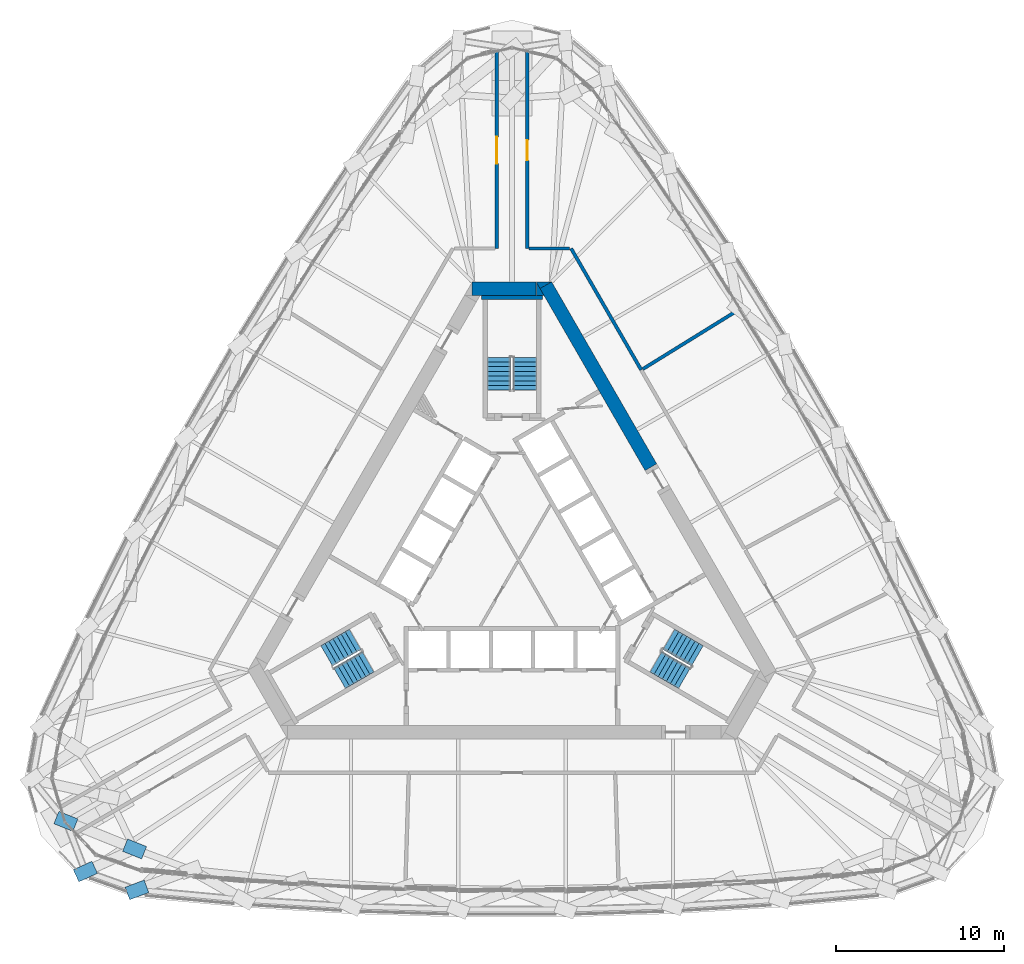
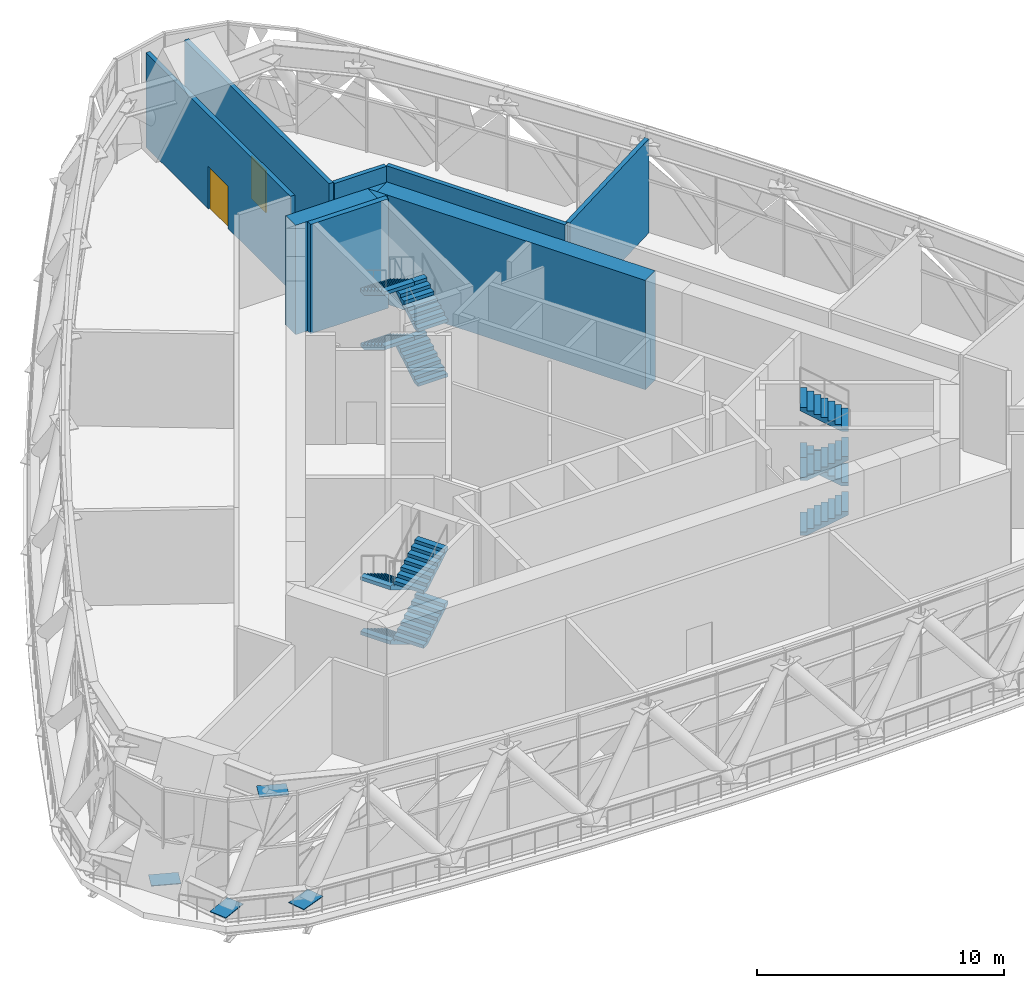
# One storey, part 25 of 35: 12 stair flights, 10 walls, 4 discrete accessories, 2 doors, 2 openings, 3 elements without a shape of their own.
"""IFC4 building model written with IfcOpenShell, lengths in metres."""

from ifc_helpers import new_model, si_unit, direction, frame, frame_2d, origin, place, context, subcontext, project, spatial, polyline, rectangle, outline, extrude, material, layer, layer_set, type_object, element, fill, aggregate, save


model = new_model("IFC4")

# Units and contexts
model_context = context("Model", 3, precision=1e-05, world=origin(), true_north=direction((0.0, 1.0)))
body_context = subcontext(model_context, "Body", "Model", "MODEL_VIEW")
ifc_project = project(units=[si_unit("LENGTHUNIT", "METRE"), si_unit("AREAUNIT", "SQUARE_METRE"), si_unit("VOLUMEUNIT", "CUBIC_METRE"), si_unit("PLANEANGLEUNIT", "RADIAN"), si_unit("MASSUNIT", "GRAM", prefix="KILO")], contexts=[model_context])

# Site, building, storey
site_placement = place(None, origin())
site = spatial("IfcSite", under=ifc_project, at=site_placement, CompositionType="ELEMENT")
building_placement = place(site_placement, origin())
building = spatial("IfcBuilding", under=site, at=building_placement, Name="Mestral Congress Tower", CompositionType="ELEMENT")
storey_placement = place(building_placement, frame((0.0, 0.0, 196.199951171875)))
storey = spatial("IfcBuildingStorey", under=building, at=storey_placement, Name="L46", CompositionType="ELEMENT", Elevation=196.199951171875)

# Walls
ifc_material_1 = material(Name="Concrete C60/75", Category="concrete")
ifc_layer_1 = layer(ifc_material_1, 0.800048828125)
ifc_layer_set_1 = layer_set([ifc_layer_1], Name="Concrete C60/75")
wall_type_1 = type_object("IfcWallType", Name="Core wall RC 800", PredefinedType="SOLIDWALL", material=ifc_layer_set_1)
wall_1_placement = place(storey_placement, frame((8.278564453125, 5.76123046875, 0.0), z_axis=(0.0, 0.0, 1.0), x_axis=(-0.500010359015, 0.866019422922, 0.0)))
element("IfcWall", 1, at=wall_1_placement, inside=storey, type_object=wall_type_1, Name="L46 core wall", PredefinedType="SOLIDWALL", context=body_context, shape_type="SweptSolid", body=[
    extrude(rectangle(XDim=12.527587890625, YDim=0.800048828125, at=frame_2d((6.263671875, 0.0))), origin(), (0.0, 0.0, 1.0), 5.400146484375),
])
placement_1 = place(storey_placement, origin())
element("IfcWall", 2, at=placement_1, inside=storey, type_object=wall_type_1, Name="L46 core wall", PredefinedType="SOLIDWALL", context=body_context, shape_type="SweptSolid", body=[
    extrude(outline(polyline([(1.443359375, 16.800048828125), (2.33935546875, 16.800048828125), (1.667236328125, 16.412109375), (1.443359375, 16.800048828125)])), origin(), (0.0, 0.0, 1.0), 5.400146484375),
])
wall_3_placement = place(storey_placement, frame((-2.37890625, 16.39990234375, 0.0), z_axis=(0.0, 0.0, 1.0), x_axis=(1.0, 0.0, 0.0)))
element("IfcWall", 3, at=wall_3_placement, inside=storey, type_object=wall_type_1, Name="L46 core wall", PredefinedType="SOLIDWALL", context=body_context, shape_type="SweptSolid", body=[
    extrude(rectangle(XDim=3.82421875, YDim=0.800048828125, at=frame_2d((1.912109375, 0.0))), origin(), (0.0, 0.0, 1.0), 5.400146484375),
])
element("IfcWall", 4, at=placement_1, inside=storey, type_object=wall_type_1, Name="L46 core wall", PredefinedType="SOLIDWALL", context=body_context, shape_type="SweptSolid", body=[
    extrude(outline(polyline([(1.9052734375, 16.0), (1.447265625, 16.0), (1.447265625, 16.793212890625), (1.9052734375, 16.0)])), origin(), (0.0, 0.0, 1.0), 5.400146484375),
])

# Wall, opening, door
ifc_material_2 = material(Name="Concrete block wall, plastered", Category="concrete")
ifc_layer_2 = layer(ifc_material_2, 0.199951171875)
ifc_layer_set_2 = layer_set([ifc_layer_2], Name="Concrete block wall, plastered")
wall_type_2 = type_object("IfcWallType", Name="Special partition 200 EI 120", PredefinedType="PARTITIONING", material=ifc_layer_set_2)
wall_5_placement = place(storey_placement, frame((0.89990234375, 18.800048828125, 0.0), z_axis=(0.0, 0.0, 1.0), x_axis=(0.0, 1.0, 0.0)))
wall_5 = element("IfcWall", 5, at=wall_5_placement, inside=storey, type_object=wall_type_2, Name="Partition", PredefinedType="PARTITIONING", context=body_context, shape_type="SweptSolid", body=[
    extrude(rectangle(XDim=11.7060546875, YDim=0.199951171875, at=frame_2d((5.85302734375, 0.0))), origin(), (0.0, 0.0, 1.0), 4.650146484375),
])
opening_1_placement = place(wall_5_placement, frame((5.253173828125, 0.0, 0.0)))
opening_1 = element("IfcOpeningElement", 6, at=opening_1_placement, cuts=wall_5, Name="Opening S46-008", PredefinedType="OPENING", context=body_context, shape_type="SweptSolid", body=[
    extrude(rectangle(XDim=1.199951171875, YDim=2.10009765625, at=frame_2d((0.60009765625, 1.050048828125))), frame((0.0, 0.10986328125, 0.0), z_axis=(0.0, -1.0, 0.0), x_axis=(1.0, 0.0, 0.0)), (0.0, 0.0, 1.0), 0.219970703125),
])
ifc_material_3 = material(Name="Fire-rated steel door set", Category="steel")
door_type_1 = type_object("IfcDoorType", Name="Refuge door 1200x2100", OperationType="SINGLE_SWING_LEFT", PredefinedType="DOOR", material=ifc_material_3)
door_1_placement = place(opening_1_placement, origin())
door_1 = element("IfcDoor", 7, at=door_1_placement, inside=storey, type_object=door_type_1, Name="Door S46-008", OperationType="SINGLE_SWING_RIGHT", OverallHeight=2.10009765625, OverallWidth=1.199951171875, PredefinedType="DOOR", context=body_context, shape_type="SweptSolid", body=[
    extrude(rectangle(XDim=1.199951171875, YDim=2.10009765625, at=frame_2d((0.60009765625, 1.050048828125))), frame((0.0, 0.02490234375, 0.0), z_axis=(0.0, -1.0, 0.0), x_axis=(1.0, 0.0, 0.0)), (0.0, 0.0, 1.0), 0.050048828125),
])
fill(opening_1, door_1)

wall_6_placement = place(storey_placement, frame((-0.89990234375, 30.506103515625, 0.0), z_axis=(0.0, 0.0, 1.0), x_axis=(0.0, -1.0, 0.0)))
wall_6 = element("IfcWall", 8, at=wall_6_placement, inside=storey, type_object=wall_type_2, Name="Partition", PredefinedType="PARTITIONING", context=body_context, shape_type="SweptSolid", body=[
    extrude(rectangle(XDim=11.7060546875, YDim=0.199951171875, at=frame_2d((5.85302734375, 0.0))), origin(), (0.0, 0.0, 1.0), 4.650146484375),
])
opening_2_placement = place(wall_6_placement, frame((5.052978515625, 0.0, 0.0)))
opening_2 = element("IfcOpeningElement", 9, at=opening_2_placement, cuts=wall_6, Name="Opening S46-009", PredefinedType="OPENING", context=body_context, shape_type="SweptSolid", body=[
    extrude(rectangle(XDim=1.60009765625, YDim=2.10009765625, at=frame_2d((0.800048828125, 1.050048828125))), frame((0.0, 0.10986328125, 0.0), z_axis=(0.0, -1.0, 0.0), x_axis=(1.0, 0.0, 0.0)), (0.0, 0.0, 1.0), 0.219970703125),
])
door_type_2 = type_object("IfcDoorType", Name="Plant room double door 1600x2100", OperationType="DOUBLE_DOOR_SINGLE_SWING", PredefinedType="DOOR", material=ifc_material_3)
door_2_placement = place(opening_2_placement, origin())
door_2 = element("IfcDoor", 10, at=door_2_placement, inside=storey, type_object=door_type_2, Name="Door S46-009", OperationType="DOUBLE_DOOR_SINGLE_SWING", OverallHeight=2.10009765625, OverallWidth=1.60009765625, PredefinedType="DOOR", context=body_context, shape_type="SweptSolid", body=[
    extrude(rectangle(XDim=1.60009765625, YDim=2.10009765625, at=frame_2d((0.800048828125, 1.050048828125))), frame((0.0, 0.02490234375, 0.0), z_axis=(0.0, -1.0, 0.0), x_axis=(1.0, 0.0, 0.0)), (0.0, 0.0, 1.0), 0.050048828125),
])
fill(opening_2, door_2)

# Walls
wall_7_placement = place(storey_placement, frame((3.521728515625, 18.800048828125, 0.0), z_axis=(0.0, 0.0, 1.0), x_axis=(0.500012366307, -0.866018263976, 0.0)))
element("IfcWall", 11, at=wall_7_placement, inside=storey, type_object=wall_type_2, Name="Partition", PredefinedType="PARTITIONING", context=body_context, shape_type="SweptSolid", body=[
    extrude(rectangle(XDim=8.358642578125, YDim=0.199951171875, at=frame_2d((4.17919921875, 0.0))), origin(), (0.0, 0.0, 1.0), 4.650146484375),
])
wall_8_placement = place(storey_placement, frame((7.799560546875, 11.61083984375, 0.0), z_axis=(0.0, 0.0, 1.0), x_axis=(0.850373744728, 0.526179146562, 0.0)))
element("IfcWall", 12, at=wall_8_placement, inside=storey, type_object=wall_type_2, Name="Partition", PredefinedType="PARTITIONING", context=body_context, shape_type="SweptSolid", body=[
    extrude(rectangle(XDim=6.754150390625, YDim=0.199951171875, at=frame_2d((3.376953125, 0.0))), origin(), (0.0, 0.0, 1.0), 4.650146484375),
])
wall_9_placement = place(storey_placement, frame((1.0, 18.800048828125, 0.0), z_axis=(0.0, 0.0, 1.0), x_axis=(1.0, 0.0, 0.0)))
element("IfcWall", 13, at=wall_9_placement, inside=storey, type_object=wall_type_2, Name="Partition", PredefinedType="PARTITIONING", context=body_context, shape_type="SweptSolid", body=[
    extrude(rectangle(XDim=2.431884765625, YDim=0.199951171875, at=frame_2d((1.2158203125, 0.0))), origin(), (0.0, 0.0, 1.0), 4.650146484375),
])
ifc_layer_3 = layer(ifc_material_1, 0.25)
ifc_layer_set_3 = layer_set([ifc_layer_3], Name="Concrete C60/75")
wall_type_3 = type_object("IfcWallType", Name="Stair wall RC 250", PredefinedType="SOLIDWALL", material=ifc_layer_set_3)
wall_10_placement = place(storey_placement, frame((-1.81689453125, 15.875, 0.0), z_axis=(0.0, 0.0, 1.0), x_axis=(1.0, 0.0, 0.0)))
element("IfcWall", 14, at=wall_10_placement, inside=storey, type_object=wall_type_3, Name="L46 core wall", PredefinedType="SOLIDWALL", context=body_context, shape_type="SweptSolid", body=[
    extrude(rectangle(XDim=3.6337890625, YDim=0.25, at=frame_2d((1.81689453125, 0.0))), origin(), (0.0, 0.0, 1.0), 5.400146484375),
])

# Stair, stair flights
stair_type = type_object("IfcStairType", Name="Exit stair 1400", PredefinedType="HALF_TURN_STAIR", material=ifc_material_1)
stair_1 = element("IfcStair", 15, at=placement_1, inside=storey, type_object=stair_type, Name="L46 ST1", PredefinedType="HALF_TURN_STAIR")
stair_flight_type = type_object("IfcStairFlightType", Name="Exit stair flight 1400", PredefinedType="STRAIGHT", material=ifc_material_1)
stair_flight_1_placement = place(storey_placement, frame((8.575927734375, -5.84619140625, 0.0), z_axis=(0.0, 0.0, 1.0), x_axis=(0.866025403784, -0.5, 0.0)))
stair_flight_1 = element("IfcStairFlight", 16, at=stair_flight_1_placement, type_object=stair_flight_type, Name="ST1 flight 1", NumberOfRisers=8, NumberOfTreads=7, PredefinedType="STRAIGHT", RiserHeight=0.16875, TreadLength=0.28, context=body_context, shape_type="SweptSolid", body=[
    extrude(outline(polyline([(0.0, 0.0), (0.0, 0.168701171875), (0.280029296875, 0.168701171875), (0.280029296875, 0.33740234375), (0.56005859375, 0.33740234375), (0.56005859375, 0.50634765625), (0.840087890625, 0.50634765625), (0.840087890625, 0.675048828125), (1.1201171875, 0.675048828125), (1.1201171875, 0.84375), (1.39990234375, 0.84375), (1.39990234375, 1.012451171875), (1.679931640625, 1.012451171875), (1.679931640625, 1.18115234375), (1.9599609375, 1.18115234375), (1.9599609375, 1.35009765625), (1.9599609375, 1.00634765625), (0.29052734375, 0.0), (0.0, 0.0)])), frame((0.0, 0.699951171875, 0.0), z_axis=(0.0, -1.0, 0.0), x_axis=(1.0, 0.0, 0.0)), (0.0, 0.0, 1.0), 0.700927734375),
    extrude(outline(polyline([(0.0, 0.0), (0.0, 0.168701171875), (0.280029296875, 0.168701171875), (0.280029296875, 0.33740234375), (0.56005859375, 0.33740234375), (0.56005859375, 0.50634765625), (0.840087890625, 0.50634765625), (0.840087890625, 0.675048828125), (1.1201171875, 0.675048828125), (1.1201171875, 0.84375), (1.39990234375, 0.84375), (1.39990234375, 1.012451171875), (1.679931640625, 1.012451171875), (1.679931640625, 1.18115234375), (1.9599609375, 1.18115234375), (1.9599609375, 1.35009765625), (1.9599609375, 1.00634765625), (0.29052734375, 0.0), (0.0, 0.0)])), frame((0.0, 0.0009765625, 0.0), z_axis=(0.0, -1.0, 0.0), x_axis=(1.0, 0.0, 0.0)), (0.0, 0.0, 1.0), 0.700927734375),
])
stair_flight_2_placement = place(storey_placement, frame((11.04833984375, -5.48388671875, 1.35009765625), z_axis=(0.0, 0.0, 1.0), x_axis=(-0.866025403784, 0.5, 0.0)))
stair_flight_2 = element("IfcStairFlight", 17, at=stair_flight_2_placement, type_object=stair_flight_type, Name="ST1 flight 2", NumberOfRisers=8, NumberOfTreads=7, PredefinedType="STRAIGHT", RiserHeight=0.16875, TreadLength=0.28, context=body_context, shape_type="SweptSolid", body=[
    extrude(outline(polyline([(0.0, 0.0), (0.0, 0.168701171875), (0.280029296875, 0.168701171875), (0.280029296875, 0.33740234375), (0.56005859375, 0.33740234375), (0.56005859375, 0.50634765625), (0.840087890625, 0.50634765625), (0.840087890625, 0.675048828125), (1.1201171875, 0.675048828125), (1.1201171875, 0.84375), (1.39990234375, 0.84375), (1.39990234375, 1.012451171875), (1.679931640625, 1.012451171875), (1.679931640625, 1.18115234375), (1.9599609375, 1.18115234375), (1.9599609375, 1.35009765625), (1.9599609375, 1.00634765625), (0.29052734375, 0.0), (0.0, 0.0)])), frame((0.0, 0.699951171875, 0.0), z_axis=(0.0, -1.0, 0.0), x_axis=(1.0, 0.0, 0.0)), (0.0, 0.0, 1.0), 0.700927734375),
    extrude(outline(polyline([(0.0, 0.0), (0.0, 0.168701171875), (0.280029296875, 0.168701171875), (0.280029296875, 0.33740234375), (0.56005859375, 0.33740234375), (0.56005859375, 0.50634765625), (0.840087890625, 0.50634765625), (0.840087890625, 0.675048828125), (1.1201171875, 0.675048828125), (1.1201171875, 0.84375), (1.39990234375, 0.84375), (1.39990234375, 1.012451171875), (1.679931640625, 1.012451171875), (1.679931640625, 1.18115234375), (1.9599609375, 1.18115234375), (1.9599609375, 1.35009765625), (1.9599609375, 1.00634765625), (0.29052734375, 0.0), (0.0, 0.0)])), frame((0.0, 0.0009765625, 0.0), z_axis=(0.0, -1.0, 0.0), x_axis=(1.0, 0.0, 0.0)), (0.0, 0.0, 1.0), 0.700927734375),
])
stair_flight_3_placement = place(storey_placement, frame((8.575927734375, -5.84619140625, 2.699951171875), z_axis=(0.0, 0.0, 1.0), x_axis=(0.866025403784, -0.5, 0.0)))
stair_flight_3 = element("IfcStairFlight", 18, at=stair_flight_3_placement, type_object=stair_flight_type, Name="ST1 flight 3", NumberOfRisers=8, NumberOfTreads=7, PredefinedType="STRAIGHT", RiserHeight=0.16875, TreadLength=0.28, context=body_context, shape_type="SweptSolid", body=[
    extrude(outline(polyline([(0.0, 0.0), (0.0, 0.168701171875), (0.280029296875, 0.168701171875), (0.280029296875, 0.33740234375), (0.56005859375, 0.33740234375), (0.56005859375, 0.50634765625), (0.840087890625, 0.50634765625), (0.840087890625, 0.675048828125), (1.1201171875, 0.675048828125), (1.1201171875, 0.84375), (1.39990234375, 0.84375), (1.39990234375, 1.012451171875), (1.679931640625, 1.012451171875), (1.679931640625, 1.18115234375), (1.9599609375, 1.18115234375), (1.9599609375, 1.35009765625), (1.9599609375, 1.00634765625), (0.29052734375, 0.0), (0.0, 0.0)])), frame((0.0, 0.699951171875, 0.0), z_axis=(0.0, -1.0, 0.0), x_axis=(1.0, 0.0, 0.0)), (0.0, 0.0, 1.0), 0.700927734375),
    extrude(outline(polyline([(0.0, 0.0), (0.0, 0.168701171875), (0.280029296875, 0.168701171875), (0.280029296875, 0.33740234375), (0.56005859375, 0.33740234375), (0.56005859375, 0.50634765625), (0.840087890625, 0.50634765625), (0.840087890625, 0.675048828125), (1.1201171875, 0.675048828125), (1.1201171875, 0.84375), (1.39990234375, 0.84375), (1.39990234375, 1.012451171875), (1.679931640625, 1.012451171875), (1.679931640625, 1.18115234375), (1.9599609375, 1.18115234375), (1.9599609375, 1.35009765625), (1.9599609375, 1.00634765625), (0.29052734375, 0.0), (0.0, 0.0)])), frame((0.0, 0.0009765625, 0.0), z_axis=(0.0, -1.0, 0.0), x_axis=(1.0, 0.0, 0.0)), (0.0, 0.0, 1.0), 0.700927734375),
])
stair_flight_4_placement = place(storey_placement, frame((11.04833984375, -5.48388671875, 4.050048828125), z_axis=(0.0, 0.0, 1.0), x_axis=(-0.866025403784, 0.5, 0.0)))
stair_flight_4 = element("IfcStairFlight", 19, at=stair_flight_4_placement, type_object=stair_flight_type, Name="ST1 flight 4", NumberOfRisers=8, NumberOfTreads=7, PredefinedType="STRAIGHT", RiserHeight=0.16875, TreadLength=0.28, context=body_context, shape_type="SweptSolid", body=[
    extrude(outline(polyline([(0.0, 0.0), (0.0, 0.168701171875), (0.280029296875, 0.168701171875), (0.280029296875, 0.33740234375), (0.56005859375, 0.33740234375), (0.56005859375, 0.50634765625), (0.840087890625, 0.50634765625), (0.840087890625, 0.675048828125), (1.1201171875, 0.675048828125), (1.1201171875, 0.84375), (1.39990234375, 0.84375), (1.39990234375, 1.012451171875), (1.679931640625, 1.012451171875), (1.679931640625, 1.18115234375), (1.9599609375, 1.18115234375), (1.9599609375, 1.35009765625), (1.9599609375, 1.00634765625), (0.29052734375, 0.0), (0.0, 0.0)])), frame((0.0, 0.699951171875, 0.0), z_axis=(0.0, -1.0, 0.0), x_axis=(1.0, 0.0, 0.0)), (0.0, 0.0, 1.0), 0.700927734375),
    extrude(outline(polyline([(0.0, 0.0), (0.0, 0.168701171875), (0.280029296875, 0.168701171875), (0.280029296875, 0.33740234375), (0.56005859375, 0.33740234375), (0.56005859375, 0.50634765625), (0.840087890625, 0.50634765625), (0.840087890625, 0.675048828125), (1.1201171875, 0.675048828125), (1.1201171875, 0.84375), (1.39990234375, 0.84375), (1.39990234375, 1.012451171875), (1.679931640625, 1.012451171875), (1.679931640625, 1.18115234375), (1.9599609375, 1.18115234375), (1.9599609375, 1.35009765625), (1.9599609375, 1.00634765625), (0.29052734375, 0.0), (0.0, 0.0)])), frame((0.0, 0.0009765625, 0.0), z_axis=(0.0, -1.0, 0.0), x_axis=(1.0, 0.0, 0.0)), (0.0, 0.0, 1.0), 0.700927734375),
])
aggregate(stair_1, [stair_flight_1, stair_flight_2, stair_flight_3, stair_flight_4])

stair_2 = element("IfcStair", 20, at=placement_1, inside=storey, type_object=stair_type, Name="L46 ST2", PredefinedType="HALF_TURN_STAIR")
stair_flight_5_placement = place(storey_placement, frame((0.77490234375, 10.35009765625, 0.0), z_axis=(0.0, 0.0, 1.0), x_axis=(0.0, 1.0, 0.0)))
stair_flight_5 = element("IfcStairFlight", 21, at=stair_flight_5_placement, type_object=stair_flight_type, Name="ST2 flight 1", NumberOfRisers=8, NumberOfTreads=7, PredefinedType="STRAIGHT", RiserHeight=0.16875, TreadLength=0.28, context=body_context, shape_type="SweptSolid", body=[
    extrude(outline(polyline([(0.0, 0.0), (0.0, 0.168701171875), (0.280029296875, 0.168701171875), (0.280029296875, 0.33740234375), (0.56005859375, 0.33740234375), (0.56005859375, 0.50634765625), (0.840087890625, 0.50634765625), (0.840087890625, 0.675048828125), (1.1201171875, 0.675048828125), (1.1201171875, 0.84375), (1.39990234375, 0.84375), (1.39990234375, 1.012451171875), (1.679931640625, 1.012451171875), (1.679931640625, 1.18115234375), (1.9599609375, 1.18115234375), (1.9599609375, 1.35009765625), (1.9599609375, 1.00634765625), (0.29052734375, 0.0), (0.0, 0.0)])), frame((0.0, 0.699951171875, 0.0), z_axis=(0.0, -1.0, 0.0), x_axis=(1.0, 0.0, 0.0)), (0.0, 0.0, 1.0), 0.700927734375),
    extrude(outline(polyline([(0.0, 0.0), (0.0, 0.168701171875), (0.280029296875, 0.168701171875), (0.280029296875, 0.33740234375), (0.56005859375, 0.33740234375), (0.56005859375, 0.50634765625), (0.840087890625, 0.50634765625), (0.840087890625, 0.675048828125), (1.1201171875, 0.675048828125), (1.1201171875, 0.84375), (1.39990234375, 0.84375), (1.39990234375, 1.012451171875), (1.679931640625, 1.012451171875), (1.679931640625, 1.18115234375), (1.9599609375, 1.18115234375), (1.9599609375, 1.35009765625), (1.9599609375, 1.00634765625), (0.29052734375, 0.0), (0.0, 0.0)])), frame((0.0, 0.0009765625, 0.0), z_axis=(0.0, -1.0, 0.0), x_axis=(1.0, 0.0, 0.0)), (0.0, 0.0, 1.0), 0.700927734375),
])
stair_flight_6_placement = place(storey_placement, frame((-0.77490234375, 12.31005859375, 1.35009765625), z_axis=(0.0, 0.0, 1.0), x_axis=(0.0, -1.0, 0.0)))
stair_flight_6 = element("IfcStairFlight", 22, at=stair_flight_6_placement, type_object=stair_flight_type, Name="ST2 flight 2", NumberOfRisers=8, NumberOfTreads=7, PredefinedType="STRAIGHT", RiserHeight=0.16875, TreadLength=0.28, context=body_context, shape_type="SweptSolid", body=[
    extrude(outline(polyline([(0.0, 0.0), (0.0, 0.168701171875), (0.280029296875, 0.168701171875), (0.280029296875, 0.33740234375), (0.56005859375, 0.33740234375), (0.56005859375, 0.50634765625), (0.840087890625, 0.50634765625), (0.840087890625, 0.675048828125), (1.1201171875, 0.675048828125), (1.1201171875, 0.84375), (1.39990234375, 0.84375), (1.39990234375, 1.012451171875), (1.679931640625, 1.012451171875), (1.679931640625, 1.18115234375), (1.9599609375, 1.18115234375), (1.9599609375, 1.35009765625), (1.9599609375, 1.00634765625), (0.29052734375, 0.0), (0.0, 0.0)])), frame((0.0, 0.699951171875, 0.0), z_axis=(0.0, -1.0, 0.0), x_axis=(1.0, 0.0, 0.0)), (0.0, 0.0, 1.0), 0.700927734375),
    extrude(outline(polyline([(0.0, 0.0), (0.0, 0.168701171875), (0.280029296875, 0.168701171875), (0.280029296875, 0.33740234375), (0.56005859375, 0.33740234375), (0.56005859375, 0.50634765625), (0.840087890625, 0.50634765625), (0.840087890625, 0.675048828125), (1.1201171875, 0.675048828125), (1.1201171875, 0.84375), (1.39990234375, 0.84375), (1.39990234375, 1.012451171875), (1.679931640625, 1.012451171875), (1.679931640625, 1.18115234375), (1.9599609375, 1.18115234375), (1.9599609375, 1.35009765625), (1.9599609375, 1.00634765625), (0.29052734375, 0.0), (0.0, 0.0)])), frame((0.0, 0.0009765625, 0.0), z_axis=(0.0, -1.0, 0.0), x_axis=(1.0, 0.0, 0.0)), (0.0, 0.0, 1.0), 0.700927734375),
])
stair_flight_7_placement = place(storey_placement, frame((0.77490234375, 10.35009765625, 2.699951171875), z_axis=(0.0, 0.0, 1.0), x_axis=(0.0, 1.0, 0.0)))
stair_flight_7 = element("IfcStairFlight", 23, at=stair_flight_7_placement, type_object=stair_flight_type, Name="ST2 flight 3", NumberOfRisers=8, NumberOfTreads=7, PredefinedType="STRAIGHT", RiserHeight=0.16875, TreadLength=0.28, context=body_context, shape_type="SweptSolid", body=[
    extrude(outline(polyline([(0.0, 0.0), (0.0, 0.168701171875), (0.280029296875, 0.168701171875), (0.280029296875, 0.33740234375), (0.56005859375, 0.33740234375), (0.56005859375, 0.50634765625), (0.840087890625, 0.50634765625), (0.840087890625, 0.675048828125), (1.1201171875, 0.675048828125), (1.1201171875, 0.84375), (1.39990234375, 0.84375), (1.39990234375, 1.012451171875), (1.679931640625, 1.012451171875), (1.679931640625, 1.18115234375), (1.9599609375, 1.18115234375), (1.9599609375, 1.35009765625), (1.9599609375, 1.00634765625), (0.29052734375, 0.0), (0.0, 0.0)])), frame((0.0, 0.699951171875, 0.0), z_axis=(0.0, -1.0, 0.0), x_axis=(1.0, 0.0, 0.0)), (0.0, 0.0, 1.0), 0.700927734375),
    extrude(outline(polyline([(0.0, 0.0), (0.0, 0.168701171875), (0.280029296875, 0.168701171875), (0.280029296875, 0.33740234375), (0.56005859375, 0.33740234375), (0.56005859375, 0.50634765625), (0.840087890625, 0.50634765625), (0.840087890625, 0.675048828125), (1.1201171875, 0.675048828125), (1.1201171875, 0.84375), (1.39990234375, 0.84375), (1.39990234375, 1.012451171875), (1.679931640625, 1.012451171875), (1.679931640625, 1.18115234375), (1.9599609375, 1.18115234375), (1.9599609375, 1.35009765625), (1.9599609375, 1.00634765625), (0.29052734375, 0.0), (0.0, 0.0)])), frame((0.0, 0.0009765625, 0.0), z_axis=(0.0, -1.0, 0.0), x_axis=(1.0, 0.0, 0.0)), (0.0, 0.0, 1.0), 0.700927734375),
])
stair_flight_8_placement = place(storey_placement, frame((-0.77490234375, 12.31005859375, 4.050048828125), z_axis=(0.0, 0.0, 1.0), x_axis=(0.0, -1.0, 0.0)))
stair_flight_8 = element("IfcStairFlight", 24, at=stair_flight_8_placement, type_object=stair_flight_type, Name="ST2 flight 4", NumberOfRisers=8, NumberOfTreads=7, PredefinedType="STRAIGHT", RiserHeight=0.16875, TreadLength=0.28, context=body_context, shape_type="SweptSolid", body=[
    extrude(outline(polyline([(0.0, 0.0), (0.0, 0.168701171875), (0.280029296875, 0.168701171875), (0.280029296875, 0.33740234375), (0.56005859375, 0.33740234375), (0.56005859375, 0.50634765625), (0.840087890625, 0.50634765625), (0.840087890625, 0.675048828125), (1.1201171875, 0.675048828125), (1.1201171875, 0.84375), (1.39990234375, 0.84375), (1.39990234375, 1.012451171875), (1.679931640625, 1.012451171875), (1.679931640625, 1.18115234375), (1.9599609375, 1.18115234375), (1.9599609375, 1.35009765625), (1.9599609375, 1.00634765625), (0.29052734375, 0.0), (0.0, 0.0)])), frame((0.0, 0.699951171875, 0.0), z_axis=(0.0, -1.0, 0.0), x_axis=(1.0, 0.0, 0.0)), (0.0, 0.0, 1.0), 0.700927734375),
    extrude(outline(polyline([(0.0, 0.0), (0.0, 0.168701171875), (0.280029296875, 0.168701171875), (0.280029296875, 0.33740234375), (0.56005859375, 0.33740234375), (0.56005859375, 0.50634765625), (0.840087890625, 0.50634765625), (0.840087890625, 0.675048828125), (1.1201171875, 0.675048828125), (1.1201171875, 0.84375), (1.39990234375, 0.84375), (1.39990234375, 1.012451171875), (1.679931640625, 1.012451171875), (1.679931640625, 1.18115234375), (1.9599609375, 1.18115234375), (1.9599609375, 1.35009765625), (1.9599609375, 1.00634765625), (0.29052734375, 0.0), (0.0, 0.0)])), frame((0.0, 0.0009765625, 0.0), z_axis=(0.0, -1.0, 0.0), x_axis=(1.0, 0.0, 0.0)), (0.0, 0.0, 1.0), 0.700927734375),
])
aggregate(stair_2, [stair_flight_5, stair_flight_6, stair_flight_7, stair_flight_8])

stair_3 = element("IfcStair", 25, at=placement_1, inside=storey, type_object=stair_type, Name="L46 ST3", PredefinedType="HALF_TURN_STAIR")
stair_flight_9_placement = place(storey_placement, frame((-9.350830078125, -4.50390625, 0.0), z_axis=(0.0, 0.0, 1.0), x_axis=(-0.866025403784, -0.5, 0.0)))
stair_flight_9 = element("IfcStairFlight", 26, at=stair_flight_9_placement, type_object=stair_flight_type, Name="ST3 flight 1", NumberOfRisers=8, NumberOfTreads=7, PredefinedType="STRAIGHT", RiserHeight=0.16875, TreadLength=0.28, context=body_context, shape_type="SweptSolid", body=[
    extrude(outline(polyline([(0.0, 0.0), (0.0, 0.168701171875), (0.280029296875, 0.168701171875), (0.280029296875, 0.33740234375), (0.56005859375, 0.33740234375), (0.56005859375, 0.50634765625), (0.840087890625, 0.50634765625), (0.840087890625, 0.675048828125), (1.1201171875, 0.675048828125), (1.1201171875, 0.84375), (1.39990234375, 0.84375), (1.39990234375, 1.012451171875), (1.679931640625, 1.012451171875), (1.679931640625, 1.18115234375), (1.9599609375, 1.18115234375), (1.9599609375, 1.35009765625), (1.9599609375, 1.00634765625), (0.29052734375, 0.0), (0.0, 0.0)])), frame((0.0, 0.699951171875, 0.0), z_axis=(0.0, -1.0, 0.0), x_axis=(1.0, 0.0, 0.0)), (0.0, 0.0, 1.0), 0.700927734375),
    extrude(outline(polyline([(0.0, 0.0), (0.0, 0.168701171875), (0.280029296875, 0.168701171875), (0.280029296875, 0.33740234375), (0.56005859375, 0.33740234375), (0.56005859375, 0.50634765625), (0.840087890625, 0.50634765625), (0.840087890625, 0.675048828125), (1.1201171875, 0.675048828125), (1.1201171875, 0.84375), (1.39990234375, 0.84375), (1.39990234375, 1.012451171875), (1.679931640625, 1.012451171875), (1.679931640625, 1.18115234375), (1.9599609375, 1.18115234375), (1.9599609375, 1.35009765625), (1.9599609375, 1.00634765625), (0.29052734375, 0.0), (0.0, 0.0)])), frame((0.0, 0.0009765625, 0.0), z_axis=(0.0, -1.0, 0.0), x_axis=(1.0, 0.0, 0.0)), (0.0, 0.0, 1.0), 0.700927734375),
])
stair_flight_10_placement = place(storey_placement, frame((-10.273193359375, -6.826171875, 1.35009765625), z_axis=(0.0, 0.0, 1.0), x_axis=(0.866025403784, 0.5, 0.0)))
stair_flight_10 = element("IfcStairFlight", 27, at=stair_flight_10_placement, type_object=stair_flight_type, Name="ST3 flight 2", NumberOfRisers=8, NumberOfTreads=7, PredefinedType="STRAIGHT", RiserHeight=0.16875, TreadLength=0.28, context=body_context, shape_type="SweptSolid", body=[
    extrude(outline(polyline([(0.0, 0.0), (0.0, 0.168701171875), (0.280029296875, 0.168701171875), (0.280029296875, 0.33740234375), (0.56005859375, 0.33740234375), (0.56005859375, 0.50634765625), (0.840087890625, 0.50634765625), (0.840087890625, 0.675048828125), (1.1201171875, 0.675048828125), (1.1201171875, 0.84375), (1.39990234375, 0.84375), (1.39990234375, 1.012451171875), (1.679931640625, 1.012451171875), (1.679931640625, 1.18115234375), (1.9599609375, 1.18115234375), (1.9599609375, 1.35009765625), (1.9599609375, 1.00634765625), (0.29052734375, 0.0), (0.0, 0.0)])), frame((0.0, 0.699951171875, 0.0), z_axis=(0.0, -1.0, 0.0), x_axis=(1.0, 0.0, 0.0)), (0.0, 0.0, 1.0), 0.700927734375),
    extrude(outline(polyline([(0.0, 0.0), (0.0, 0.168701171875), (0.280029296875, 0.168701171875), (0.280029296875, 0.33740234375), (0.56005859375, 0.33740234375), (0.56005859375, 0.50634765625), (0.840087890625, 0.50634765625), (0.840087890625, 0.675048828125), (1.1201171875, 0.675048828125), (1.1201171875, 0.84375), (1.39990234375, 0.84375), (1.39990234375, 1.012451171875), (1.679931640625, 1.012451171875), (1.679931640625, 1.18115234375), (1.9599609375, 1.18115234375), (1.9599609375, 1.35009765625), (1.9599609375, 1.00634765625), (0.29052734375, 0.0), (0.0, 0.0)])), frame((0.0, 0.0009765625, 0.0), z_axis=(0.0, -1.0, 0.0), x_axis=(1.0, 0.0, 0.0)), (0.0, 0.0, 1.0), 0.700927734375),
])
stair_flight_11_placement = place(storey_placement, frame((-9.350830078125, -4.50390625, 2.699951171875), z_axis=(0.0, 0.0, 1.0), x_axis=(-0.866025403784, -0.5, 0.0)))
stair_flight_11 = element("IfcStairFlight", 28, at=stair_flight_11_placement, type_object=stair_flight_type, Name="ST3 flight 3", NumberOfRisers=8, NumberOfTreads=7, PredefinedType="STRAIGHT", RiserHeight=0.16875, TreadLength=0.28, context=body_context, shape_type="SweptSolid", body=[
    extrude(outline(polyline([(0.0, 0.0), (0.0, 0.168701171875), (0.280029296875, 0.168701171875), (0.280029296875, 0.33740234375), (0.56005859375, 0.33740234375), (0.56005859375, 0.50634765625), (0.840087890625, 0.50634765625), (0.840087890625, 0.675048828125), (1.1201171875, 0.675048828125), (1.1201171875, 0.84375), (1.39990234375, 0.84375), (1.39990234375, 1.012451171875), (1.679931640625, 1.012451171875), (1.679931640625, 1.18115234375), (1.9599609375, 1.18115234375), (1.9599609375, 1.35009765625), (1.9599609375, 1.00634765625), (0.29052734375, 0.0), (0.0, 0.0)])), frame((0.0, 0.699951171875, 0.0), z_axis=(0.0, -1.0, 0.0), x_axis=(1.0, 0.0, 0.0)), (0.0, 0.0, 1.0), 0.700927734375),
    extrude(outline(polyline([(0.0, 0.0), (0.0, 0.168701171875), (0.280029296875, 0.168701171875), (0.280029296875, 0.33740234375), (0.56005859375, 0.33740234375), (0.56005859375, 0.50634765625), (0.840087890625, 0.50634765625), (0.840087890625, 0.675048828125), (1.1201171875, 0.675048828125), (1.1201171875, 0.84375), (1.39990234375, 0.84375), (1.39990234375, 1.012451171875), (1.679931640625, 1.012451171875), (1.679931640625, 1.18115234375), (1.9599609375, 1.18115234375), (1.9599609375, 1.35009765625), (1.9599609375, 1.00634765625), (0.29052734375, 0.0), (0.0, 0.0)])), frame((0.0, 0.0009765625, 0.0), z_axis=(0.0, -1.0, 0.0), x_axis=(1.0, 0.0, 0.0)), (0.0, 0.0, 1.0), 0.700927734375),
])
stair_flight_12_placement = place(storey_placement, frame((-10.273193359375, -6.826171875, 4.050048828125), z_axis=(0.0, 0.0, 1.0), x_axis=(0.866025403784, 0.5, 0.0)))
stair_flight_12 = element("IfcStairFlight", 29, at=stair_flight_12_placement, type_object=stair_flight_type, Name="ST3 flight 4", NumberOfRisers=8, NumberOfTreads=7, PredefinedType="STRAIGHT", RiserHeight=0.16875, TreadLength=0.28, context=body_context, shape_type="SweptSolid", body=[
    extrude(outline(polyline([(0.0, 0.0), (0.0, 0.168701171875), (0.280029296875, 0.168701171875), (0.280029296875, 0.33740234375), (0.56005859375, 0.33740234375), (0.56005859375, 0.50634765625), (0.840087890625, 0.50634765625), (0.840087890625, 0.675048828125), (1.1201171875, 0.675048828125), (1.1201171875, 0.84375), (1.39990234375, 0.84375), (1.39990234375, 1.012451171875), (1.679931640625, 1.012451171875), (1.679931640625, 1.18115234375), (1.9599609375, 1.18115234375), (1.9599609375, 1.35009765625), (1.9599609375, 1.00634765625), (0.29052734375, 0.0), (0.0, 0.0)])), frame((0.0, 0.699951171875, 0.0), z_axis=(0.0, -1.0, 0.0), x_axis=(1.0, 0.0, 0.0)), (0.0, 0.0, 1.0), 0.700927734375),
    extrude(outline(polyline([(0.0, 0.0), (0.0, 0.168701171875), (0.280029296875, 0.168701171875), (0.280029296875, 0.33740234375), (0.56005859375, 0.33740234375), (0.56005859375, 0.50634765625), (0.840087890625, 0.50634765625), (0.840087890625, 0.675048828125), (1.1201171875, 0.675048828125), (1.1201171875, 0.84375), (1.39990234375, 0.84375), (1.39990234375, 1.012451171875), (1.679931640625, 1.012451171875), (1.679931640625, 1.18115234375), (1.9599609375, 1.18115234375), (1.9599609375, 1.35009765625), (1.9599609375, 1.00634765625), (0.29052734375, 0.0), (0.0, 0.0)])), frame((0.0, 0.0009765625, 0.0), z_axis=(0.0, -1.0, 0.0), x_axis=(1.0, 0.0, 0.0)), (0.0, 0.0, 1.0), 0.700927734375),
])
aggregate(stair_3, [stair_flight_9, stair_flight_10, stair_flight_11, stair_flight_12])

# Discrete accessories
ifc_material_4 = material(Name="Steel S355", Category="steel")
ifc_layer_4 = layer(ifc_material_4, 0.034912109375)
ifc_layer_set_4 = layer_set([ifc_layer_4], Name="Steel S355")
discrete_accessory_type = type_object("IfcDiscreteAccessoryType", Name="Brace end gusset plate 35 S355", PredefinedType="BRACKET", material=ifc_layer_set_4)
placement_2 = place(storey_placement, frame((0.0, 0.0, 0.58251953125)))
element("IfcDiscreteAccessory", 30, at=placement_2, inside=storey, type_object=discrete_accessory_type, Name="Brace end gusset plate 35 S355", PredefinedType="BRACKET", context=body_context, shape_type="SweptSolid", body=[
    extrude(outline(polyline([(-27.304443359375, -15.492919921875), (-26.172119140625, -15.947265625), (-25.876708984375, -15.21142578125), (-27.009033203125, -14.7568359375), (-27.304443359375, -15.492919921875)])), origin(), (0.0, 0.0, 1.0), 0.034912109375),
])
element("IfcDiscreteAccessory", 31, at=placement_2, inside=storey, type_object=discrete_accessory_type, Name="Brace end gusset plate 35 S355", PredefinedType="BRACKET", context=body_context, shape_type="SweptSolid", body=[
    extrude(outline(polyline([(-25.818603515625, -18.95849609375), (-24.7099609375, -18.44970703125), (-25.040771484375, -17.72900390625), (-26.1494140625, -18.23779296875), (-25.818603515625, -18.95849609375)])), origin(), (0.0, 0.0, 1.0), 0.034912109375),
])
discrete_accessory_3_placement = place(storey_placement, frame((0.0, 0.0, 4.532470703125)))
element("IfcDiscreteAccessory", 32, at=discrete_accessory_3_placement, inside=storey, type_object=discrete_accessory_type, Name="Brace end gusset plate 35 S355", PredefinedType="BRACKET", context=body_context, shape_type="SweptSolid", body=[
    extrude(outline(polyline([(-21.780517578125, -16.855712890625), (-22.912841796875, -16.4013671875), (-23.208251953125, -17.13720703125), (-22.075927734375, -17.591796875), (-21.780517578125, -16.855712890625)])), origin(), (0.0, 0.0, 1.0), 0.03515625),
])
element("IfcDiscreteAccessory", 33, at=placement_2, inside=storey, type_object=discrete_accessory_type, Name="Brace end gusset plate 35 S355", PredefinedType="BRACKET", context=body_context, shape_type="SweptSolid", body=[
    extrude(outline(polyline([(-22.789794921875, -20.0224609375), (-21.647216796875, -19.5947265625), (-21.925048828125, -18.85205078125), (-23.067626953125, -19.27978515625), (-22.789794921875, -20.0224609375)])), origin(), (0.0, 0.0, 1.0), 0.034912109375),
])

save(model, "model.ifc")
